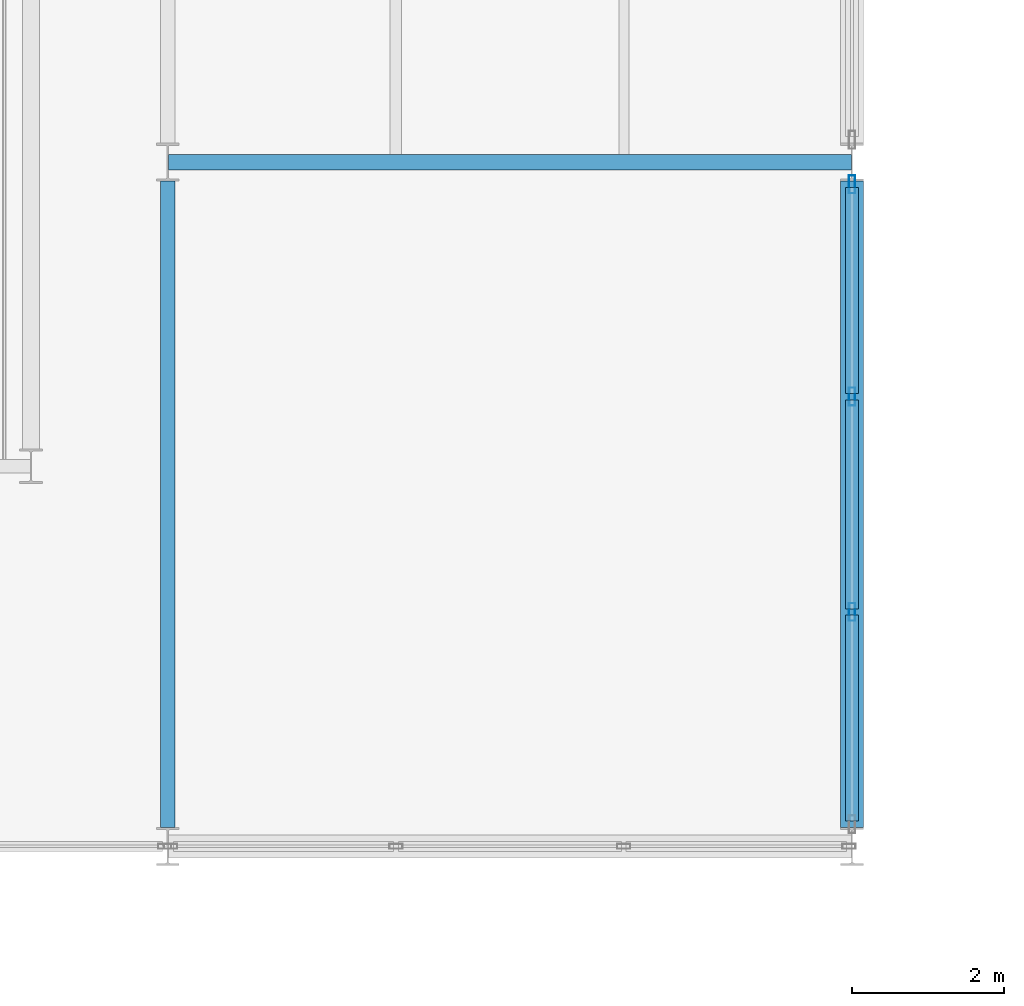
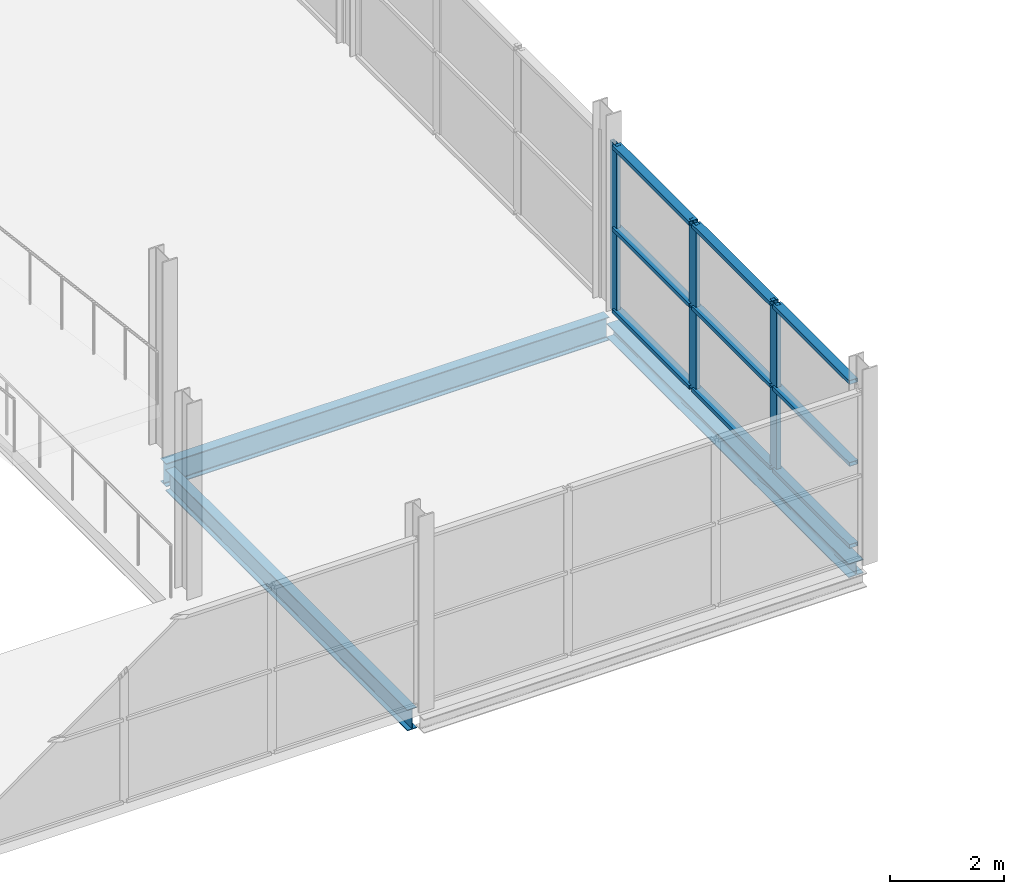
# One storey, part 61 of 132: 12 members, 3 beams, 1 element without a shape of its own.
"""IFC4 building model written with IfcOpenShell, lengths in metres."""

from ifc_helpers import new_model, si_unit, direction, frame, origin, origin_2d, place, context, subcontext, project, spatial, hollow_rectangle, i_section, extrude, material, layer, layer_set, material_profile, profile_set, type_object, element, aggregate, save


model = new_model("IFC4")

# Units and contexts
model_context = context("Model", 3, precision=1e-05, world=origin(), true_north=direction((0.0, 1.0)))
body_context = subcontext(model_context, "Body", "Model", "MODEL_VIEW")
ifc_project = project(units=[si_unit("LENGTHUNIT", "METRE"), si_unit("AREAUNIT", "SQUARE_METRE"), si_unit("VOLUMEUNIT", "CUBIC_METRE"), si_unit("PLANEANGLEUNIT", "RADIAN"), si_unit("MASSUNIT", "GRAM", prefix="KILO")], contexts=[model_context])

# Site, building, storey
site_placement = place(None, origin())
site = spatial("IfcSite", under=ifc_project, at=site_placement, CompositionType="ELEMENT")
building_placement = place(site_placement, origin())
building = spatial("IfcBuilding", under=site, at=building_placement, Name="Deido Ridge Mobility Hub", CompositionType="ELEMENT")
storey_placement = place(building_placement, frame((0.0, 0.0, 8.39990234375)))
storey = spatial("IfcBuildingStorey", under=building, at=storey_placement, Name="L02", CompositionType="ELEMENT", Elevation=8.39990234375)

# Beams
ifc_material_1 = material(Name="Steel S355J2 EN 10025-2", Category="steel")
ifc_material_profile_1 = material_profile(ifc_material_1, i_section(OverallWidth=0.18994140625, OverallDepth=0.449951171875, WebThickness=0.009521484375, FlangeThickness=0.0146484375, FilletRadius=0.02099609375, at=origin_2d()), Name="IPE 450")
ifc_profile_set_1 = profile_set([ifc_material_profile_1], Name="Steel S355J2 EN 10025-2")
beam_type_1 = type_object("IfcBeamType", Name="BM-IPE450", PredefinedType="BEAM", material=ifc_profile_set_1)
beam_1_placement = place(storey_placement, frame((99.0, 45.25, -0.47998046875), z_axis=(0.0, 1.0, 0.0), x_axis=(-1.0, 0.0, 0.0)))
element("IfcBeam", 1, at=beam_1_placement, inside=storey, type_object=beam_type_1, Name="Floor beam B4", PredefinedType="BEAM", context=body_context, shape_type="SweptSolid", body=[
    extrude(i_section(OverallWidth=0.18994140625, OverallDepth=0.449951171875, WebThickness=0.009521484375, FlangeThickness=0.0146484375, FilletRadius=0.02099609375, at=origin_2d()), origin(), (0.0, 0.0, 1.0), 8.5),
])
ifc_material_profile_2 = material_profile(ifc_material_1, i_section(OverallWidth=0.199951171875, OverallDepth=0.5, WebThickness=0.01025390625, FlangeThickness=0.01611328125, FilletRadius=0.02099609375, at=origin_2d()), Name="IPE 500")
ifc_profile_set_2 = profile_set([ifc_material_profile_2], Name="Steel S355J2 EN 10025-2")
beam_type_2 = type_object("IfcBeamType", Name="BM-IPE500", PredefinedType="BEAM", material=ifc_profile_set_2)
beam_2_placement = place(storey_placement, frame((99.007080078125, 54.0, -0.5048828125), z_axis=(1.0, 0.0, 0.0), x_axis=(0.0, 1.0, 0.0)))
element("IfcBeam", 2, at=beam_2_placement, inside=storey, type_object=beam_type_2, Name="Floor beam B3", PredefinedType="BEAM", context=body_context, shape_type="SweptSolid", body=[
    extrude(i_section(OverallWidth=0.199951171875, OverallDepth=0.5, WebThickness=0.01025390625, FlangeThickness=0.01611328125, FilletRadius=0.02099609375, at=origin_2d()), origin(), (0.0, 0.0, 1.0), 8.98583984375),
])

# Curtain wall, members
ifc_material_2 = material(Name="Anodised aluminium EN AW-6063 T6", Category="aluminium")
ifc_layer = layer(ifc_material_2, 0.239990234375, Name="Anodised aluminium EN AW-6063 T6")
ifc_layer_set = layer_set([ifc_layer], Name="Anodised aluminium EN AW-6063 T6")
curtain_wall_type = type_object("IfcCurtainWallType", Name="CW-UF-6", PredefinedType="USERDEFINED", material=ifc_layer_set)
curtain_wall_placement = place(storey_placement, origin())
curtain_wall = element("IfcCurtainWall", 3, at=curtain_wall_placement, inside=storey, type_object=curtain_wall_type, Name="Unitised curtain wall CW6", ObjectType="UNITISED FACADE", PredefinedType="USERDEFINED")
ifc_material_profile_3 = material_profile(ifc_material_2, hollow_rectangle(XDim=0.0849609375, YDim=0.235107421875, WallThickness=0.00390625, at=origin_2d()), Name="RHS 85x235x4")
ifc_profile_set_3 = profile_set([ifc_material_profile_3], Name="Anodised aluminium EN AW-6063 T6")
member_type_1 = type_object("IfcMemberType", Name="MEM-MUL-85X235", PredefinedType="MULLION", material=ifc_profile_set_3)
member_1_placement = place(storey_placement, frame((108.0, 48.083251953125, 0.0), z_axis=(0.0, 0.0, 1.0), x_axis=(-1.0, 0.0, 0.0)))
member_1 = element("IfcMember", 4, at=member_1_placement, type_object=member_type_1, Name="CW6 mullion 2", PredefinedType="MULLION", context=body_context, shape_type="SweptSolid", body=[
    extrude(hollow_rectangle(XDim=0.0849609375, YDim=0.235107421875, WallThickness=0.00390625, at=origin_2d()), origin(), (0.0, 0.0, 1.0), 3.60009765625),
])
member_2_placement = place(storey_placement, frame((108.0, 50.916748046875, 0.0), z_axis=(0.0, 0.0, 1.0), x_axis=(-1.0, 0.0, 0.0)))
member_2 = element("IfcMember", 5, at=member_2_placement, type_object=member_type_1, Name="CW6 mullion 3", PredefinedType="MULLION", context=body_context, shape_type="SweptSolid", body=[
    extrude(hollow_rectangle(XDim=0.0849609375, YDim=0.235107421875, WallThickness=0.00390625, at=origin_2d()), origin(), (0.0, 0.0, 1.0), 3.60009765625),
])
member_3_placement = place(storey_placement, frame((108.0, 53.70751953125, 0.0), z_axis=(0.0, 0.0, 1.0), x_axis=(-1.0, 0.0, 0.0)))
member_3 = element("IfcMember", 6, at=member_3_placement, type_object=member_type_1, Name="CW6 mullion 4", PredefinedType="MULLION", context=body_context, shape_type="SweptSolid", body=[
    extrude(hollow_rectangle(XDim=0.0849609375, YDim=0.235107421875, WallThickness=0.00390625, at=origin_2d()), origin(), (0.0, 0.0, 1.0), 3.60009765625),
])
ifc_material_profile_4 = material_profile(ifc_material_2, hollow_rectangle(XDim=0.175048828125, YDim=0.0849609375, WallThickness=0.00390625, at=origin_2d()), Name="RHS 175x85x4")
ifc_profile_set_4 = profile_set([ifc_material_profile_4], Name="Anodised aluminium EN AW-6063 T6")
member_type_2 = type_object("IfcMemberType", Name="MEM-TRN-175X85", PredefinedType="USERDEFINED", material=ifc_profile_set_4)
member_4_placement = place(storey_placement, frame((108.0, 45.3349609375, 0.04248046875), z_axis=(0.0, 1.0, 0.0), x_axis=(-1.0, 0.0, 0.0)))
member_4 = element("IfcMember", 7, at=member_4_placement, type_object=member_type_2, Name="CW6 transom 1.1", ObjectType="TRANSOM", PredefinedType="USERDEFINED", context=body_context, shape_type="SweptSolid", body=[
    extrude(hollow_rectangle(XDim=0.175048828125, YDim=0.0849609375, WallThickness=0.00390625, at=origin_2d()), origin(), (0.0, 0.0, 1.0), 2.705810546875),
])
member_5_placement = place(storey_placement, frame((108.0, 45.3349609375, 1.800048828125), z_axis=(0.0, 1.0, 0.0), x_axis=(-1.0, 0.0, 0.0)))
member_5 = element("IfcMember", 8, at=member_5_placement, type_object=member_type_2, Name="CW6 transom 1.2", ObjectType="TRANSOM", PredefinedType="USERDEFINED", context=body_context, shape_type="SweptSolid", body=[
    extrude(hollow_rectangle(XDim=0.175048828125, YDim=0.0849609375, WallThickness=0.00390625, at=origin_2d()), origin(), (0.0, 0.0, 1.0), 2.705810546875),
])
member_6_placement = place(storey_placement, frame((108.0, 45.3349609375, 3.5576171875), z_axis=(0.0, 1.0, 0.0), x_axis=(-1.0, 0.0, 0.0)))
member_6 = element("IfcMember", 9, at=member_6_placement, type_object=member_type_2, Name="CW6 transom 1.3", ObjectType="TRANSOM", PredefinedType="USERDEFINED", context=body_context, shape_type="SweptSolid", body=[
    extrude(hollow_rectangle(XDim=0.175048828125, YDim=0.0849609375, WallThickness=0.00390625, at=origin_2d()), origin(), (0.0, 0.0, 1.0), 2.705810546875),
])
member_7_placement = place(storey_placement, frame((108.0, 48.125732421875, 0.04248046875), z_axis=(0.0, 1.0, 0.0), x_axis=(-1.0, 0.0, 0.0)))
member_7 = element("IfcMember", 10, at=member_7_placement, type_object=member_type_2, Name="CW6 transom 2.1", ObjectType="TRANSOM", PredefinedType="USERDEFINED", context=body_context, shape_type="SweptSolid", body=[
    extrude(hollow_rectangle(XDim=0.175048828125, YDim=0.0849609375, WallThickness=0.00390625, at=origin_2d()), origin(), (0.0, 0.0, 1.0), 2.74853515625),
])
member_8_placement = place(storey_placement, frame((108.0, 48.125732421875, 1.800048828125), z_axis=(0.0, 1.0, 0.0), x_axis=(-1.0, 0.0, 0.0)))
member_8 = element("IfcMember", 11, at=member_8_placement, type_object=member_type_2, Name="CW6 transom 2.2", ObjectType="TRANSOM", PredefinedType="USERDEFINED", context=body_context, shape_type="SweptSolid", body=[
    extrude(hollow_rectangle(XDim=0.175048828125, YDim=0.0849609375, WallThickness=0.00390625, at=origin_2d()), origin(), (0.0, 0.0, 1.0), 2.74853515625),
])
member_9_placement = place(storey_placement, frame((108.0, 48.125732421875, 3.5576171875), z_axis=(0.0, 1.0, 0.0), x_axis=(-1.0, 0.0, 0.0)))
member_9 = element("IfcMember", 12, at=member_9_placement, type_object=member_type_2, Name="CW6 transom 2.3", ObjectType="TRANSOM", PredefinedType="USERDEFINED", context=body_context, shape_type="SweptSolid", body=[
    extrude(hollow_rectangle(XDim=0.175048828125, YDim=0.0849609375, WallThickness=0.00390625, at=origin_2d()), origin(), (0.0, 0.0, 1.0), 2.74853515625),
])
member_10_placement = place(storey_placement, frame((108.0, 50.959228515625, 0.04248046875), z_axis=(0.0, 1.0, 0.0), x_axis=(-1.0, 0.0, 0.0)))
member_10 = element("IfcMember", 13, at=member_10_placement, type_object=member_type_2, Name="CW6 transom 3.1", ObjectType="TRANSOM", PredefinedType="USERDEFINED", context=body_context, shape_type="SweptSolid", body=[
    extrude(hollow_rectangle(XDim=0.175048828125, YDim=0.0849609375, WallThickness=0.00390625, at=origin_2d()), origin(), (0.0, 0.0, 1.0), 2.705810546875),
])
member_11_placement = place(storey_placement, frame((108.0, 50.959228515625, 1.800048828125), z_axis=(0.0, 1.0, 0.0), x_axis=(-1.0, 0.0, 0.0)))
member_11 = element("IfcMember", 14, at=member_11_placement, type_object=member_type_2, Name="CW6 transom 3.2", ObjectType="TRANSOM", PredefinedType="USERDEFINED", context=body_context, shape_type="SweptSolid", body=[
    extrude(hollow_rectangle(XDim=0.175048828125, YDim=0.0849609375, WallThickness=0.00390625, at=origin_2d()), origin(), (0.0, 0.0, 1.0), 2.705810546875),
])
member_12_placement = place(storey_placement, frame((108.0, 50.959228515625, 3.5576171875), z_axis=(0.0, 1.0, 0.0), x_axis=(-1.0, 0.0, 0.0)))
member_12 = element("IfcMember", 15, at=member_12_placement, type_object=member_type_2, Name="CW6 transom 3.3", ObjectType="TRANSOM", PredefinedType="USERDEFINED", context=body_context, shape_type="SweptSolid", body=[
    extrude(hollow_rectangle(XDim=0.175048828125, YDim=0.0849609375, WallThickness=0.00390625, at=origin_2d()), origin(), (0.0, 0.0, 1.0), 2.705810546875),
])
aggregate(curtain_wall, [member_1, member_2, member_3, member_4, member_5, member_6, member_7, member_8, member_9, member_10, member_11, member_12])

# Beam
ifc_material_profile_5 = material_profile(ifc_material_1, i_section(OverallWidth=0.300048828125, OverallDepth=0.300048828125, WebThickness=0.010986328125, FlangeThickness=0.01904296875, FilletRadius=0.027099609375, at=origin_2d()), Name="HEB 300")
ifc_profile_set_5 = profile_set([ifc_material_profile_5], Name="Steel S355J2 EN 10025-2")
beam_type_3 = type_object("IfcBeamType", Name="SPD-HEB300", PredefinedType="SPANDREL", material=ifc_profile_set_5)
beam_3_placement = place(storey_placement, frame((108.0, 45.25, -0.40478515625), z_axis=(0.0, 1.0, 0.0), x_axis=(-1.0, 0.0, 0.0)))
element("IfcBeam", 16, at=beam_3_placement, inside=storey, type_object=beam_type_3, Name="Floor beam SP1", PredefinedType="SPANDREL", context=body_context, shape_type="SweptSolid", body=[
    extrude(i_section(OverallWidth=0.300048828125, OverallDepth=0.300048828125, WebThickness=0.010986328125, FlangeThickness=0.01904296875, FilletRadius=0.027099609375, at=origin_2d()), origin(), (0.0, 0.0, 1.0), 8.5),
])

save(model, "model.ifc")
